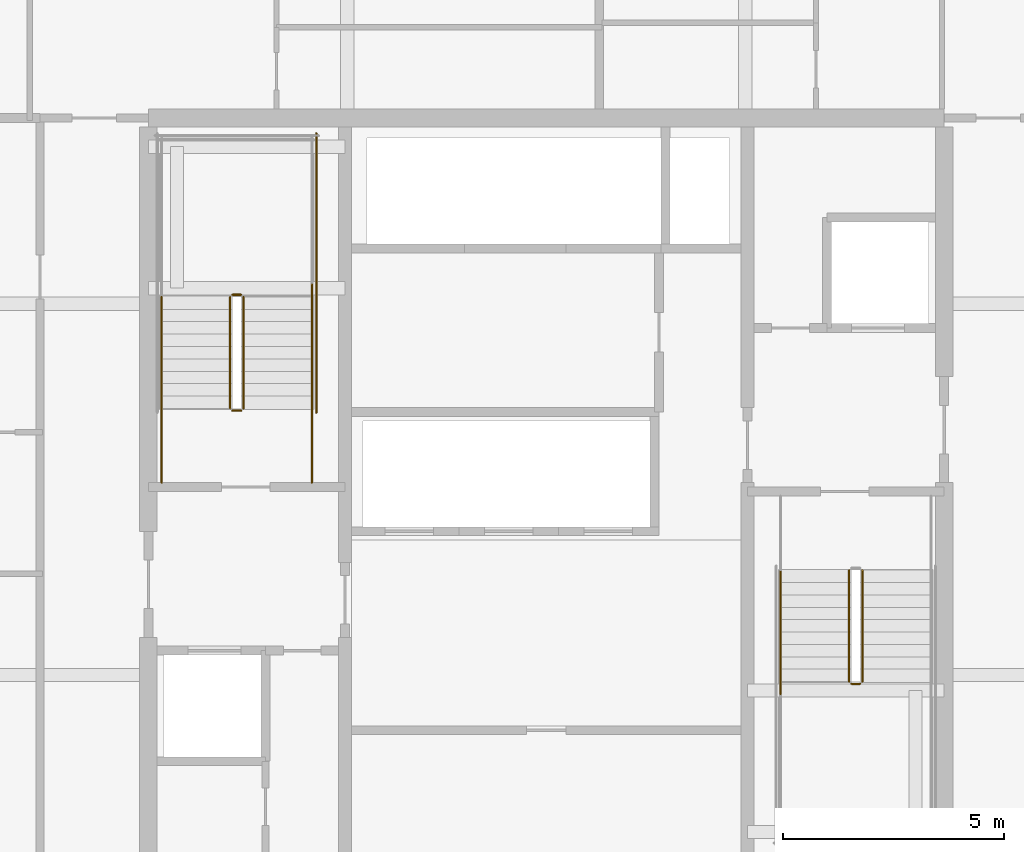
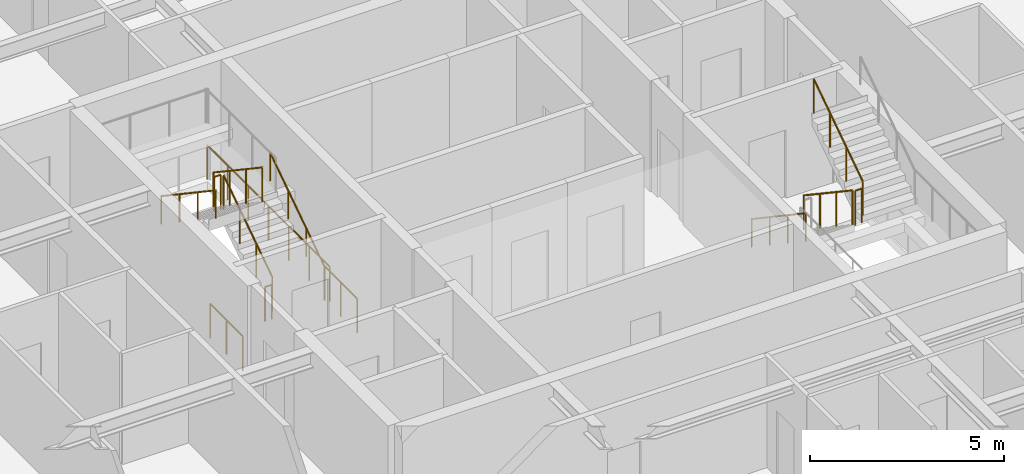
# One storey, part 33 of 36: 13 railings.
"""IFC4 building model written with IfcOpenShell, lengths in metres."""

import ifcopenshell
import ifcopenshell.guid

model = None  # the IFC model being written
_history = None  # IfcOwnerHistory: only IFC2X3 demands one
_inside = {}  # id of a spatial element -> (the spatial element, [elements in it])
_under = {}  # id of a project, library or spatial element -> (it, [spatial elements below it])
_declared = {}  # id of a project -> (the project, [libraries it declares])
_typed = {}  # id of a type object -> (the type object, [elements of that type])
_made_of = {}  # id of a material, layer set ... -> (it, [elements and type objects made of it])


def new_model(schema):
    """Start an empty IFC model of exactly this schema.

    Asked for "IFC4X3", IfcOpenShell would pick the latest addendum, in which some entities
    have other attributes; the version numbers below select the first issue.
    IFC2X3 requires an IfcOwnerHistory on every rooted entity: one is made here for all.
    """
    global model, _history
    if schema == "IFC4X3":
        model = ifcopenshell.file(schema_version=(4, 3, 0, 0))
    else:
        model = ifcopenshell.file(schema=schema)
    _inside.clear()
    _under.clear()
    _declared.clear()
    _typed.clear()
    _made_of.clear()
    _history = None
    if model.schema == "IFC2X3":
        org = make("IfcOrganization", Name="unknown")
        user = make(
            "IfcPersonAndOrganization",
            ThePerson=make("IfcPerson", FamilyName="unknown"),
            TheOrganization=org,
        )
        app = make(
            "IfcApplication",
            ApplicationDeveloper=org,
            Version="unknown",
            ApplicationFullName="unknown",
            ApplicationIdentifier="unknown",
        )
        _history = make(
            "IfcOwnerHistory",
            OwningUser=user,
            OwningApplication=app,
            ChangeAction="ADDED",
            CreationDate=0,
        )
    return model


def make(cls, **values):
    """One entity of the class cls with the attributes given. An attribute that is None is left unset."""
    return model.create_entity(
        cls, **{name: value for name, value in values.items() if value is not None}
    )


def rooted(cls, **values):
    """An entity with a GlobalId (a new one), such as an element, a storey or a relation."""
    return make(cls, GlobalId=ifcopenshell.guid.new(), OwnerHistory=_history, **values)


def si_unit(unit_type, name, prefix=None):
    """IfcSIUnit, for example si_unit("LENGTHUNIT", "METRE", prefix="MILLI")."""
    return make("IfcSIUnit", UnitType=unit_type, Prefix=prefix, Name=name)


def assignment(units):
    """IfcUnitAssignment: the units of a project."""
    return None if units is None else make("IfcUnitAssignment", Units=units)


def point(xyz):
    """IfcCartesianPoint."""
    return None if xyz is None else make("IfcCartesianPoint", Coordinates=xyz)


def direction(xyz):
    """IfcDirection."""
    return None if xyz is None else make("IfcDirection", DirectionRatios=xyz)


def frame(location, z_axis=None, x_axis=None):
    """IfcAxis2Placement3D, a coordinate frame: its origin and axes. An axis left out is left unset."""
    return make(
        "IfcAxis2Placement3D",
        Location=point(location),
        Axis=direction(z_axis),
        RefDirection=direction(x_axis),
    )


def frame_2d(location, x_axis=None):
    """IfcAxis2Placement2D, a coordinate frame in the plane: its origin and x axis."""
    return make(
        "IfcAxis2Placement2D", Location=point(location), RefDirection=direction(x_axis)
    )


def origin():
    """The frame at (0, 0, 0) with its axes left unset."""
    return frame((0.0, 0.0, 0.0))


def origin_2d():
    """The frame at (0, 0) in the plane with its x axis left unset."""
    return frame_2d((0.0, 0.0))


def place(relative_to, where):
    """IfcLocalPlacement: puts the frame where relative to a parent placement (None: the world)."""
    return make(
        "IfcLocalPlacement", PlacementRelTo=relative_to, RelativePlacement=where
    )


def context(
    kind, dimensions, precision=None, world=None, true_north=None, identifier=None
):
    """IfcGeometricRepresentationContext, for example the 3D "Model" context."""
    return make(
        "IfcGeometricRepresentationContext",
        ContextIdentifier=identifier,
        ContextType=kind,
        CoordinateSpaceDimension=dimensions,
        Precision=precision,
        WorldCoordinateSystem=world,
        TrueNorth=true_north,
    )


def subcontext(parent, identifier, kind, view, scale=None):
    """IfcGeometricRepresentationSubContext, for example "Body" below "Model"."""
    return make(
        "IfcGeometricRepresentationSubContext",
        ContextIdentifier=identifier,
        ContextType=kind,
        ParentContext=parent,
        TargetScale=scale,
        TargetView=view,
    )


def project(units=None, contexts=None):
    """IfcProject with its units and contexts."""
    return rooted(
        "IfcProject",
        Name="project",
        RepresentationContexts=contexts,
        UnitsInContext=assignment(units),
    )


def spatial(cls, under=None, at=None, **own):
    """A site, building, storey or space (cls), placed at a placement, below another one or the project."""
    s = rooted(cls, ObjectPlacement=at, **own)
    if under is not None:
        _under.setdefault(under.id(), (under, []))[1].append(s)
    return s


def profile(cls, at=None, kind="AREA", **sizes):
    """A parametric profile (cls). Its sizes go by their IFC names, for example OverallWidth=200.0."""
    return make(cls, ProfileType=kind, Position=at, **sizes)


def circle(**sizes):
    """IfcCircleProfileDef."""
    return profile("IfcCircleProfileDef", **sizes)


def extrude(swept, where, along, depth):
    """IfcExtrudedAreaSolid: the profile swept, set in the frame where, extruded along a direction by depth."""
    return make(
        "IfcExtrudedAreaSolid",
        SweptArea=swept,
        Position=where,
        ExtrudedDirection=direction(along),
        Depth=depth,
    )


def shape(context_of_items, identifier, shape_type, items):
    """IfcShapeRepresentation: the items that make up one representation, for example the "Body"."""
    return make(
        "IfcShapeRepresentation",
        ContextOfItems=context_of_items,
        RepresentationIdentifier=identifier,
        RepresentationType=shape_type,
        Items=items,
    )


def material(Name=None, Category=None):
    """IfcMaterial."""
    return make("IfcMaterial", Name=Name, Category=Category)


def made_of(thing, what):
    """Note that an element or type object is made of a material, layer set ...; save() writes the relation."""
    if what is not None:
        _made_of.setdefault(what.id(), (what, []))[1].append(thing)
    return thing


def type_object(cls, material=None, **own):
    """A type object (cls), such as IfcWallType, which elements share."""
    return made_of(rooted(cls, **own), material)


def element(
    cls,
    number,
    at=None,
    inside=None,
    cuts=None,
    type_object=None,
    material=None,
    context=None,
    identifier="Body",
    shape_type=None,
    held_by="IfcProductDefinitionShape",
    body=None,
    shapes=None,
    **own,
):
    """One element of the class cls, such as IfcWall. Its Tag is "e" and its number.

    at: its placement. inside: the storey or other place that contains it. cuts: it is an
    opening in that element (IfcRelVoidsElement). A single representation is given by context,
    identifier, shape_type and body (its items); several are given by shapes. held_by: the class
    of the entity that holds the representations. save() writes the other relations.
    """
    e = rooted(cls, Tag="e%d" % number, ObjectPlacement=at, **own)
    if body is not None:
        shapes = [shape(context, identifier, shape_type, body)]
    if shapes is not None:
        e.Representation = make(held_by, Representations=shapes)
    if inside is not None:
        _inside.setdefault(inside.id(), (inside, []))[1].append(e)
    if cuts is not None:
        rooted(
            "IfcRelVoidsElement", RelatingBuildingElement=cuts, RelatedOpeningElement=e
        )
    if type_object is not None:
        _typed.setdefault(type_object.id(), (type_object, []))[1].append(e)
    return made_of(e, material)


def aggregate(whole, parts):
    """IfcRelAggregates: a whole, such as a stair, and the parts it consists of."""
    return rooted("IfcRelAggregates", RelatingObject=whole, RelatedObjects=parts)


def save(model, path):
    """Write the relations noted so far, then the file.

    IfcRelAggregates (storeys below a building ...), IfcRelContainedInSpatialStructure (elements
    in a storey), IfcRelDefinesByType, IfcRelAssociatesMaterial and IfcRelDeclares: one each for
    every whole, place, type object, material and project.
    """
    for whole, parts in _under.values():
        aggregate(whole, parts)
    for where, things in _inside.values():
        rooted(
            "IfcRelContainedInSpatialStructure",
            RelatedElements=things,
            RelatingStructure=where,
        )
    for kind, things in _typed.values():
        rooted("IfcRelDefinesByType", RelatedObjects=things, RelatingType=kind)
    for what, things in _made_of.values():
        rooted("IfcRelAssociatesMaterial", RelatedObjects=things, RelatingMaterial=what)
    for by, libraries in _declared.values():
        rooted("IfcRelDeclares", RelatingContext=by, RelatedDefinitions=libraries)
    model.write(path)


model = new_model("IFC4")

# Units and contexts
model_context = context("Model", 3, precision=1e-05, world=origin(), true_north=direction((0.0, 1.0)))
body_context = subcontext(model_context, "Body", "Model", "MODEL_VIEW")
ifc_project = project(units=[si_unit("LENGTHUNIT", "METRE"), si_unit("AREAUNIT", "SQUARE_METRE"), si_unit("VOLUMEUNIT", "CUBIC_METRE"), si_unit("PLANEANGLEUNIT", "RADIAN"), si_unit("MASSUNIT", "GRAM", prefix="KILO")], contexts=[model_context])

# Site, building, storey
site_placement = place(None, origin())
site = spatial("IfcSite", under=ifc_project, at=site_placement, CompositionType="ELEMENT")
building_placement = place(site_placement, origin())
building = spatial("IfcBuilding", under=site, at=building_placement, Name="Serunith Strait Residences", CompositionType="ELEMENT")
storey_placement = place(building_placement, frame((0.0, 0.0, 146.39990234375)))
storey = spatial("IfcBuildingStorey", under=building, at=storey_placement, Name="L36", CompositionType="ELEMENT", Elevation=146.39990234375)

# Railings
ifc_material = material(Name="Brushed stainless steel 316L", Category="steel")
railing_type_1 = type_object("IfcRailingType", Name="RLG-STAIR-GUARD", PredefinedType="BALUSTRADE", material=ifc_material)
railing_1_placement = place(storey_placement, frame((25.550048828125, 27.030029296875, 0.1875)))
element("IfcRailing", 1, at=railing_1_placement, inside=storey, type_object=railing_type_1, Name="L36 ST-1 stair guard 1", PredefinedType="BALUSTRADE", context=body_context, shape_type="SweptSolid", body=[
    extrude(circle(Radius=0.02392578125, at=origin_2d()), frame((0.0, 0.001708984375, 1.0771484375), z_axis=(0.0, 0.830909170722, 0.55640807867), x_axis=(-1.0, 0.0, 0.0)), (0.0, 0.0, 1.0), 3.02880859375),
    extrude(circle(Radius=0.02099609375, at=origin_2d()), origin(), (0.0, 0.0, 1.0), 1.050048828125),
    extrude(circle(Radius=0.02099609375, at=origin_2d()), frame((0.0, 0.840087890625, 0.5625)), (0.0, 0.0, 1.0), 1.050048828125),
    extrude(circle(Radius=0.02099609375, at=origin_2d()), frame((0.0, 1.679931640625, 1.125)), (0.0, 0.0, 1.0), 1.050048828125),
    extrude(circle(Radius=0.02099609375, at=origin_2d()), frame((0.0, 2.52001953125, 1.6875)), (0.0, 0.0, 1.0), 1.050048828125),
])
railing_2_placement = place(storey_placement, frame((25.5, 29.60009765625, 1.875)))
element("IfcRailing", 2, at=railing_2_placement, inside=storey, type_object=railing_type_1, Name="L36 ST-1 stair guard 2", PredefinedType="BALUSTRADE", context=body_context, shape_type="SweptSolid", body=[
    extrude(circle(Radius=0.02392578125, at=origin_2d()), frame((-0.001953125, 0.0, 1.076171875), z_axis=(-1.0, 0.0, 0.0), x_axis=(0.0, -1.0, 0.0)), (0.0, 0.0, 1.0), 0.196044921875),
    extrude(circle(Radius=0.02099609375, at=origin_2d()), origin(), (0.0, 0.0, 1.0), 1.050048828125),
    extrude(circle(Radius=0.02099609375, at=origin_2d()), frame((-0.199951171875, 0.0, 0.0)), (0.0, 0.0, 1.0), 1.050048828125),
])
railing_3_placement = place(storey_placement, frame((25.25, 29.550048828125, 2.0625)))
element("IfcRailing", 3, at=railing_3_placement, inside=storey, type_object=railing_type_1, Name="L36 ST-1 stair guard 6", PredefinedType="BALUSTRADE", context=body_context, shape_type="SweptSolid", body=[
    extrude(circle(Radius=0.02392578125, at=origin_2d()), frame((0.0, -0.001708984375, 1.0771484375), z_axis=(0.0, -0.830909170722, 0.55640807867), x_axis=(1.0, 0.0, 0.0)), (0.0, 0.0, 1.0), 3.02880859375),
    extrude(circle(Radius=0.02099609375, at=origin_2d()), origin(), (0.0, 0.0, 1.0), 1.050048828125),
    extrude(circle(Radius=0.02099609375, at=origin_2d()), frame((0.0, -0.840087890625, 0.5625)), (0.0, 0.0, 1.0), 1.050048828125),
    extrude(circle(Radius=0.02099609375, at=origin_2d()), frame((0.0, -1.679931640625, 1.125)), (0.0, 0.0, 1.0), 1.050048828125),
    extrude(circle(Radius=0.02099609375, at=origin_2d()), frame((0.0, -2.52001953125, 1.6875)), (0.0, 0.0, 1.0), 1.050048828125),
])
railing_4_placement = place(storey_placement, frame((25.5, 26.97998046875, 0.0)))
element("IfcRailing", 4, at=railing_4_placement, inside=storey, type_object=railing_type_1, Name="L36 ST-1 stair guard 7", PredefinedType="BALUSTRADE", context=body_context, shape_type="SweptSolid", body=[
    extrude(circle(Radius=0.02392578125, at=origin_2d()), frame((-0.001953125, 0.0, 1.076171875), z_axis=(-1.0, 0.0, 0.0), x_axis=(0.0, -1.0, 0.0)), (0.0, 0.0, 1.0), 0.196044921875),
    extrude(circle(Radius=0.02099609375, at=origin_2d()), origin(), (0.0, 0.0, 1.0), 1.050048828125),
    extrude(circle(Radius=0.02099609375, at=origin_2d()), frame((-0.199951171875, 0.0, 0.0)), (0.0, 0.0, 1.0), 1.050048828125),
])
for number, where, name in (
    (5, (27.10009765625, 25.35009765625, 0.0), "L36 ST-1 stair guard 8"),
    (6, (23.699951171875, 25.35009765625, 0.0), "L36 ST-1 stair guard 9"),
):
    element("IfcRailing", number, at=place(storey_placement, frame(where)), inside=storey, type_object=railing_type_1, Name=name, PredefinedType="BALUSTRADE", context=body_context, shape_type="SweptSolid", body=[
        extrude(circle(Radius=0.02392578125, at=origin_2d()), frame((0.0, 0.001953125, 1.076171875), z_axis=(0.0, 1.0, 0.0), x_axis=(-1.0, 0.0, 0.0)), (0.0, 0.0, 1.0), 1.676025390625),
        extrude(circle(Radius=0.02099609375, at=origin_2d()), origin(), (0.0, 0.0, 1.0), 1.050048828125),
        extrude(circle(Radius=0.02099609375, at=origin_2d()), frame((0.0, 0.83984375, 0.0)), (0.0, 0.0, 1.0), 1.050048828125),
        extrude(circle(Radius=0.02099609375, at=origin_2d()), frame((0.0, 1.679931640625, 0.0)), (0.0, 0.0, 1.0), 1.050048828125),
    ])
railing_5_placement = place(storey_placement, frame((27.199951171875, 26.929931640625, 0.0)))
element("IfcRailing", 7, at=railing_5_placement, inside=storey, type_object=railing_type_1, Name="L36 ST-1 stair guard 10", PredefinedType="BALUSTRADE", context=body_context, shape_type="SweptSolid", body=[
    extrude(circle(Radius=0.02392578125, at=origin_2d()), frame((0.0, 0.001953125, 1.076171875), z_axis=(0.0, 1.0, 0.0), x_axis=(-1.0, 0.0, 0.0)), (0.0, 0.0, 1.0), 6.316162109375),
    extrude(circle(Radius=0.02099609375, at=origin_2d()), origin(), (0.0, 0.0, 1.0), 1.050048828125),
    extrude(circle(Radius=0.02099609375, at=origin_2d()), frame((0.0, 1.05322265625, 0.0)), (0.0, 0.0, 1.0), 1.050048828125),
    extrude(circle(Radius=0.02099609375, at=origin_2d()), frame((0.0, 2.106689453125, 0.0)), (0.0, 0.0, 1.0), 1.050048828125),
    extrude(circle(Radius=0.02099609375, at=origin_2d()), frame((0.0, 3.16015625, 0.0)), (0.0, 0.0, 1.0), 1.050048828125),
    extrude(circle(Radius=0.02099609375, at=origin_2d()), frame((0.0, 4.21337890625, 0.0)), (0.0, 0.0, 1.0), 1.050048828125),
    extrude(circle(Radius=0.02099609375, at=origin_2d()), frame((0.0, 5.2666015625, 0.0)), (0.0, 0.0, 1.0), 1.050048828125),
    extrude(circle(Radius=0.02099609375, at=origin_2d()), frame((0.0, 6.320068359375, 0.0)), (0.0, 0.0, 1.0), 1.050048828125),
])
railing_6_placement = place(storey_placement, frame((39.25, 23.3701171875, 0.1875)))
element("IfcRailing", 8, at=railing_6_placement, inside=storey, type_object=railing_type_1, Name="L36 ST-2 stair guard 1", PredefinedType="BALUSTRADE", context=body_context, shape_type="SweptSolid", body=[
    extrude(circle(Radius=0.02392578125, at=origin_2d()), frame((0.0, -0.001708984375, 1.0771484375), z_axis=(0.0, -0.830909170722, 0.55640807867), x_axis=(1.0, 0.0, 0.0)), (0.0, 0.0, 1.0), 3.02880859375),
    extrude(circle(Radius=0.02099609375, at=origin_2d()), origin(), (0.0, 0.0, 1.0), 1.050048828125),
    extrude(circle(Radius=0.02099609375, at=origin_2d()), frame((0.0, -0.840087890625, 0.5625)), (0.0, 0.0, 1.0), 1.050048828125),
    extrude(circle(Radius=0.02099609375, at=origin_2d()), frame((0.0, -1.679931640625, 1.125)), (0.0, 0.0, 1.0), 1.050048828125),
    extrude(circle(Radius=0.02099609375, at=origin_2d()), frame((0.0, -2.52001953125, 1.6875)), (0.0, 0.0, 1.0), 1.050048828125),
])
railing_7_placement = place(storey_placement, frame((39.300048828125, 20.800048828125, 1.875)))
element("IfcRailing", 9, at=railing_7_placement, inside=storey, type_object=railing_type_1, Name="L36 ST-2 stair guard 2", PredefinedType="BALUSTRADE", context=body_context, shape_type="SweptSolid", body=[
    extrude(circle(Radius=0.02392578125, at=origin_2d()), frame((0.001953125, 0.0, 1.076171875), z_axis=(1.0, 0.0, 0.0), x_axis=(0.0, 1.0, 0.0)), (0.0, 0.0, 1.0), 0.196044921875),
    extrude(circle(Radius=0.02099609375, at=origin_2d()), origin(), (0.0, 0.0, 1.0), 1.050048828125),
    extrude(circle(Radius=0.02099609375, at=origin_2d()), frame((0.199951171875, 0.0, 0.0)), (0.0, 0.0, 1.0), 1.050048828125),
])
railing_8_placement = place(storey_placement, frame((39.550048828125, 20.85009765625, 2.0625)))
element("IfcRailing", 10, at=railing_8_placement, inside=storey, type_object=railing_type_1, Name="L36 ST-2 stair guard 6", PredefinedType="BALUSTRADE", context=body_context, shape_type="SweptSolid", body=[
    extrude(circle(Radius=0.02392578125, at=origin_2d()), frame((0.0, 0.001708984375, 1.0771484375), z_axis=(0.0, 0.830909170722, 0.55640807867), x_axis=(-1.0, 0.0, 0.0)), (0.0, 0.0, 1.0), 3.02880859375),
    extrude(circle(Radius=0.02099609375, at=origin_2d()), origin(), (0.0, 0.0, 1.0), 1.050048828125),
    extrude(circle(Radius=0.02099609375, at=origin_2d()), frame((0.0, 0.840087890625, 0.5625)), (0.0, 0.0, 1.0), 1.050048828125),
    extrude(circle(Radius=0.02099609375, at=origin_2d()), frame((0.0, 1.679931640625, 1.125)), (0.0, 0.0, 1.0), 1.050048828125),
    extrude(circle(Radius=0.02099609375, at=origin_2d()), frame((0.0, 2.52001953125, 1.6875)), (0.0, 0.0, 1.0), 1.050048828125),
])
railing_type_2 = type_object("IfcRailingType", Name="RLG-STAIR-HR", PredefinedType="HANDRAIL", material=ifc_material)
railing_9_placement = place(storey_placement, frame((27.10009765625, 27.030029296875, 0.1875)))
element("IfcRailing", 11, at=railing_9_placement, inside=storey, type_object=railing_type_2, Name="L36 ST-1 stair handrail 1", PredefinedType="HANDRAIL", context=body_context, shape_type="SweptSolid", body=[
    extrude(circle(Radius=0.02392578125, at=origin_2d()), frame((0.0, 0.001708984375, 0.876953125), z_axis=(0.0, 0.830208209119, 0.557453432594), x_axis=(-1.0, 0.0, 0.0)), (0.0, 0.0, 1.0), 3.36865234375),
    extrude(circle(Radius=0.02099609375, at=origin_2d()), origin(), (0.0, 0.0, 1.0), 0.849853515625),
    extrude(circle(Radius=0.02099609375, at=origin_2d()), frame((0.0, 0.933349609375, 0.626708984375)), (0.0, 0.0, 1.0), 0.849853515625),
    extrude(circle(Radius=0.02099609375, at=origin_2d()), frame((0.0, 1.86669921875, 1.25341796875)), (0.0, 0.0, 1.0), 0.849853515625),
    extrude(circle(Radius=0.02099609375, at=origin_2d()), frame((0.0, 2.800048828125, 1.880126953125)), (0.0, 0.0, 1.0), 0.849853515625),
])
for number, where, name in (
    (12, (23.699951171875, 29.550048828125, 2.0625), "L36 ST-1 stair handrail 2"),
    (13, (37.699951171875, 23.3701171875, 0.1875), "L36 ST-2 stair handrail 1"),
):
    element("IfcRailing", number, at=place(storey_placement, frame(where)), inside=storey, type_object=railing_type_2, Name=name, PredefinedType="HANDRAIL", context=body_context, shape_type="SweptSolid", body=[
        extrude(circle(Radius=0.02392578125, at=origin_2d()), frame((0.0, -0.001708984375, 0.876953125), z_axis=(0.0, -0.830208209119, 0.557453432594), x_axis=(1.0, 0.0, 0.0)), (0.0, 0.0, 1.0), 3.36865234375),
        extrude(circle(Radius=0.02099609375, at=origin_2d()), origin(), (0.0, 0.0, 1.0), 0.849853515625),
        extrude(circle(Radius=0.02099609375, at=origin_2d()), frame((0.0, -0.933349609375, 0.626708984375)), (0.0, 0.0, 1.0), 0.849853515625),
        extrude(circle(Radius=0.02099609375, at=origin_2d()), frame((0.0, -1.86669921875, 1.25341796875)), (0.0, 0.0, 1.0), 0.849853515625),
        extrude(circle(Radius=0.02099609375, at=origin_2d()), frame((0.0, -2.800048828125, 1.880126953125)), (0.0, 0.0, 1.0), 0.849853515625),
    ])

save(model, "model.ifc")
